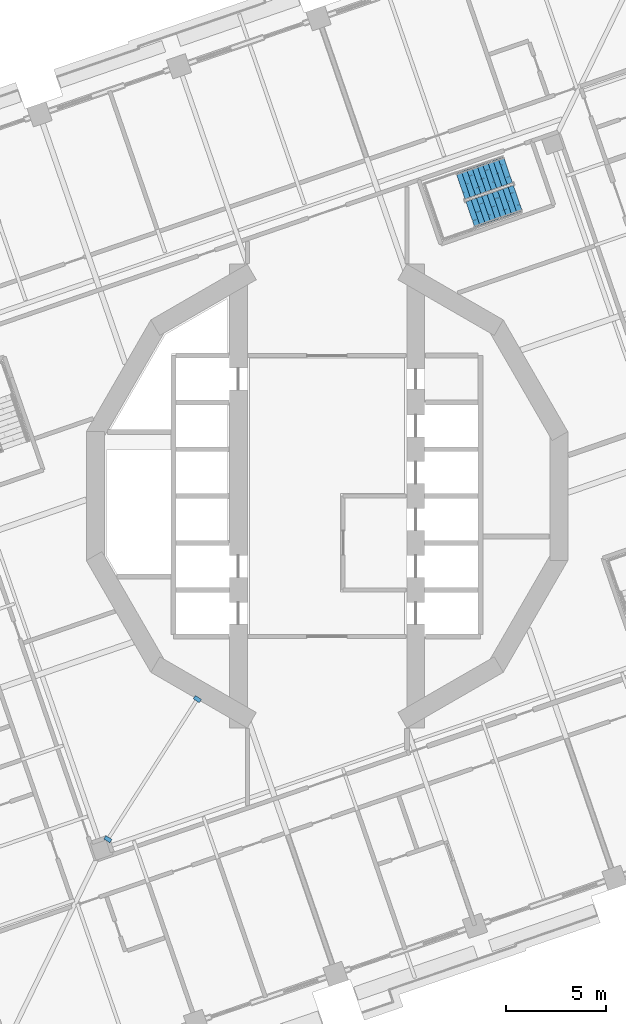
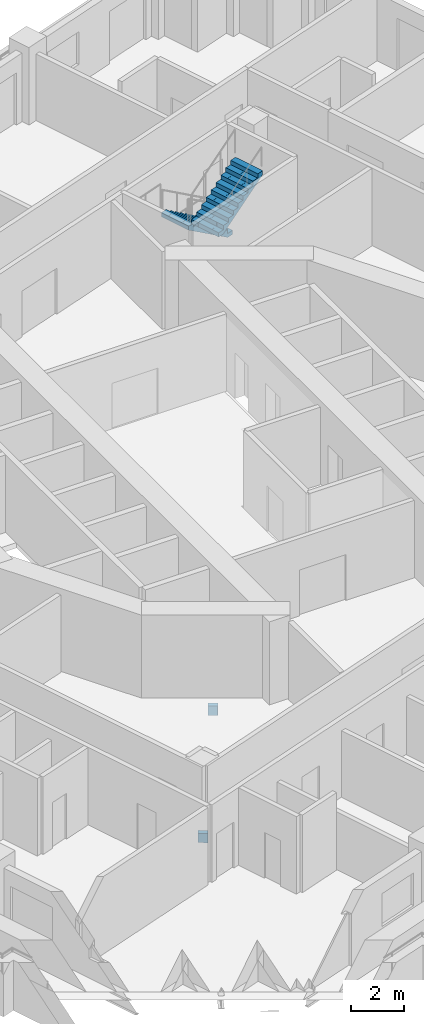
# One storey, part 11 of 19: 2 discrete accessories, 2 stair flights, 1 element without a shape of its own.
"""IFC4 building model written with IfcOpenShell, lengths in metres."""

from ifc_helpers import new_model, si_unit, direction, frame, origin, place, context, subcontext, project, spatial, polyline, outline, extrude, material, layer, layer_set, type_object, element, aggregate, save


model = new_model("IFC4")

# Units and contexts
model_context = context("Model", 3, precision=1e-05, world=origin(), true_north=direction((0.0, 1.0)))
body_context = subcontext(model_context, "Body", "Model", "MODEL_VIEW")
ifc_project = project(units=[si_unit("LENGTHUNIT", "METRE"), si_unit("AREAUNIT", "SQUARE_METRE"), si_unit("VOLUMEUNIT", "CUBIC_METRE"), si_unit("PLANEANGLEUNIT", "RADIAN"), si_unit("MASSUNIT", "GRAM", prefix="KILO")], contexts=[model_context])

# Site, building, storey
site_placement = place(None, origin())
site = spatial("IfcSite", under=ifc_project, at=site_placement, CompositionType="ELEMENT")
building_placement = place(site_placement, origin())
building = spatial("IfcBuilding", under=site, at=building_placement, Name="Cantera Rosa Tower", CompositionType="ELEMENT")
storey_placement = place(building_placement, frame((0.0, 0.0, 123.10009765625)))
storey = spatial("IfcBuildingStorey", under=building, at=storey_placement, Name="L25", CompositionType="ELEMENT", Elevation=123.10009765625)

# Stair, stair flights
ifc_material_1 = material(Name="Concrete C35/45", Category="concrete")
stair_type = type_object("IfcStairType", Name="EXIT STAIR 1350 DOGLEG", PredefinedType="HALF_TURN_STAIR", material=ifc_material_1)
stair_placement = place(storey_placement, origin())
stair = element("IfcStair", 1, at=stair_placement, inside=storey, type_object=stair_type, Name="L25 ST-21", PredefinedType="HALF_TURN_STAIR")
ifc_material_2 = material(Name="Concrete C35/45", Category="concrete")
stair_flight_type = type_object("IfcStairFlightType", Name="STAIR FLIGHT 1350 R20x190", PredefinedType="STRAIGHT", material=ifc_material_2)
stair_flight_1_placement = place(storey_placement, frame((9.07958984375, 16.364990234375, 0.0), z_axis=(0.0, 0.0, 1.0), x_axis=(-0.945518575599, -0.325568154457, 0.0)))
stair_flight_1 = element("IfcStairFlight", 2, at=stair_flight_1_placement, type_object=stair_flight_type, Name="ST-21 flight 1", NumberOfRisers=10, NumberOfTreads=9, PredefinedType="STRAIGHT", RiserHeight=0.19, TreadLength=0.28, context=body_context, shape_type="SweptSolid", body=[
    extrude(outline(polyline([(0.0, 0.0), (0.0, 0.18994140625), (0.280029296875, 0.18994140625), (0.280029296875, 0.3798828125), (0.56005859375, 0.3798828125), (0.56005859375, 0.570068359375), (0.840087890625, 0.570068359375), (0.840087890625, 0.760009765625), (1.1201171875, 0.760009765625), (1.1201171875, 0.949951171875), (1.39990234375, 0.949951171875), (1.39990234375, 1.139892578125), (1.679931640625, 1.139892578125), (1.679931640625, 1.330078125), (1.9599609375, 1.330078125), (1.9599609375, 1.52001953125), (2.239990234375, 1.52001953125), (2.239990234375, 1.7099609375), (2.52001953125, 1.7099609375), (2.52001953125, 1.89990234375), (2.52001953125, 1.52880859375), (0.266845703125, 0.0), (0.0, 0.0)])), frame((0.0, 0.675048828125, 0.0), z_axis=(0.0, -1.0, 0.0), x_axis=(1.0, 0.0, 0.0)), (0.0, 0.0, 1.0), 0.3359375),
    extrude(outline(polyline([(0.0, 0.0), (0.0, 0.18994140625), (0.280029296875, 0.18994140625), (0.280029296875, 0.3798828125), (0.56005859375, 0.3798828125), (0.56005859375, 0.570068359375), (0.840087890625, 0.570068359375), (0.840087890625, 0.760009765625), (1.1201171875, 0.760009765625), (1.1201171875, 0.949951171875), (1.39990234375, 0.949951171875), (1.39990234375, 1.139892578125), (1.679931640625, 1.139892578125), (1.679931640625, 1.330078125), (1.9599609375, 1.330078125), (1.9599609375, 1.52001953125), (2.239990234375, 1.52001953125), (2.239990234375, 1.7099609375), (2.52001953125, 1.7099609375), (2.52001953125, 1.89990234375), (2.52001953125, 1.52880859375), (0.266845703125, 0.0), (0.0, 0.0)])), frame((0.0, 0.337158203125, 0.0), z_axis=(0.0, -1.0, 0.0), x_axis=(1.0, 0.0, 0.0)), (0.0, 0.0, 1.0), 0.3359375),
    extrude(outline(polyline([(0.0, 0.0), (0.0, 0.18994140625), (0.280029296875, 0.18994140625), (0.280029296875, 0.3798828125), (0.56005859375, 0.3798828125), (0.56005859375, 0.570068359375), (0.840087890625, 0.570068359375), (0.840087890625, 0.760009765625), (1.1201171875, 0.760009765625), (1.1201171875, 0.949951171875), (1.39990234375, 0.949951171875), (1.39990234375, 1.139892578125), (1.679931640625, 1.139892578125), (1.679931640625, 1.330078125), (1.9599609375, 1.330078125), (1.9599609375, 1.52001953125), (2.239990234375, 1.52001953125), (2.239990234375, 1.7099609375), (2.52001953125, 1.7099609375), (2.52001953125, 1.89990234375), (2.52001953125, 1.52880859375), (0.266845703125, 0.0), (0.0, 0.0)])), frame((0.0, -0.000732421875, 0.0), z_axis=(0.0, -1.0, 0.0), x_axis=(1.0, 0.0, 0.0)), (0.0, 0.0, 1.0), 0.3359375),
    extrude(outline(polyline([(0.0, 0.0), (0.0, 0.18994140625), (0.280029296875, 0.18994140625), (0.280029296875, 0.3798828125), (0.56005859375, 0.3798828125), (0.56005859375, 0.570068359375), (0.840087890625, 0.570068359375), (0.840087890625, 0.760009765625), (1.1201171875, 0.760009765625), (1.1201171875, 0.949951171875), (1.39990234375, 0.949951171875), (1.39990234375, 1.139892578125), (1.679931640625, 1.139892578125), (1.679931640625, 1.330078125), (1.9599609375, 1.330078125), (1.9599609375, 1.52001953125), (2.239990234375, 1.52001953125), (2.239990234375, 1.7099609375), (2.52001953125, 1.7099609375), (2.52001953125, 1.89990234375), (2.52001953125, 1.52880859375), (0.266845703125, 0.0), (0.0, 0.0)])), frame((0.0, -0.338623046875, 0.0), z_axis=(0.0, -1.0, 0.0), x_axis=(1.0, 0.0, 0.0)), (0.0, 0.0, 1.0), 0.3359375),
])
stair_flight_2_placement = place(storey_placement, frame((7.185302734375, 14.126220703125, 1.89990234375), z_axis=(0.0, 0.0, 1.0), x_axis=(0.945518575599, 0.325568154457, 0.0)))
stair_flight_2 = element("IfcStairFlight", 3, at=stair_flight_2_placement, type_object=stair_flight_type, Name="ST-21 flight 2", NumberOfRisers=10, NumberOfTreads=9, PredefinedType="STRAIGHT", RiserHeight=0.19, TreadLength=0.28, context=body_context, shape_type="SweptSolid", body=[
    extrude(outline(polyline([(0.0, 0.0), (0.0, 0.18994140625), (0.280029296875, 0.18994140625), (0.280029296875, 0.3798828125), (0.56005859375, 0.3798828125), (0.56005859375, 0.570068359375), (0.840087890625, 0.570068359375), (0.840087890625, 0.760009765625), (1.1201171875, 0.760009765625), (1.1201171875, 0.949951171875), (1.39990234375, 0.949951171875), (1.39990234375, 1.139892578125), (1.679931640625, 1.139892578125), (1.679931640625, 1.330078125), (1.9599609375, 1.330078125), (1.9599609375, 1.52001953125), (2.239990234375, 1.52001953125), (2.239990234375, 1.7099609375), (2.52001953125, 1.7099609375), (2.52001953125, 1.89990234375), (2.52001953125, 1.52880859375), (0.266845703125, 0.0), (0.0, 0.0)])), frame((0.0, 0.675048828125, 0.0), z_axis=(0.0, -1.0, 0.0), x_axis=(1.0, 0.0, 0.0)), (0.0, 0.0, 1.0), 0.3359375),
    extrude(outline(polyline([(0.0, 0.0), (0.0, 0.18994140625), (0.280029296875, 0.18994140625), (0.280029296875, 0.3798828125), (0.56005859375, 0.3798828125), (0.56005859375, 0.570068359375), (0.840087890625, 0.570068359375), (0.840087890625, 0.760009765625), (1.1201171875, 0.760009765625), (1.1201171875, 0.949951171875), (1.39990234375, 0.949951171875), (1.39990234375, 1.139892578125), (1.679931640625, 1.139892578125), (1.679931640625, 1.330078125), (1.9599609375, 1.330078125), (1.9599609375, 1.52001953125), (2.239990234375, 1.52001953125), (2.239990234375, 1.7099609375), (2.52001953125, 1.7099609375), (2.52001953125, 1.89990234375), (2.52001953125, 1.52880859375), (0.266845703125, 0.0), (0.0, 0.0)])), frame((0.0, 0.337158203125, 0.0), z_axis=(0.0, -1.0, 0.0), x_axis=(1.0, 0.0, 0.0)), (0.0, 0.0, 1.0), 0.3359375),
    extrude(outline(polyline([(0.0, 0.0), (0.0, 0.18994140625), (0.280029296875, 0.18994140625), (0.280029296875, 0.3798828125), (0.56005859375, 0.3798828125), (0.56005859375, 0.570068359375), (0.840087890625, 0.570068359375), (0.840087890625, 0.760009765625), (1.1201171875, 0.760009765625), (1.1201171875, 0.949951171875), (1.39990234375, 0.949951171875), (1.39990234375, 1.139892578125), (1.679931640625, 1.139892578125), (1.679931640625, 1.330078125), (1.9599609375, 1.330078125), (1.9599609375, 1.52001953125), (2.239990234375, 1.52001953125), (2.239990234375, 1.7099609375), (2.52001953125, 1.7099609375), (2.52001953125, 1.89990234375), (2.52001953125, 1.52880859375), (0.266845703125, 0.0), (0.0, 0.0)])), frame((0.0, -0.000732421875, 0.0), z_axis=(0.0, -1.0, 0.0), x_axis=(1.0, 0.0, 0.0)), (0.0, 0.0, 1.0), 0.3359375),
    extrude(outline(polyline([(0.0, 0.0), (0.0, 0.18994140625), (0.280029296875, 0.18994140625), (0.280029296875, 0.3798828125), (0.56005859375, 0.3798828125), (0.56005859375, 0.570068359375), (0.840087890625, 0.570068359375), (0.840087890625, 0.760009765625), (1.1201171875, 0.760009765625), (1.1201171875, 0.949951171875), (1.39990234375, 0.949951171875), (1.39990234375, 1.139892578125), (1.679931640625, 1.139892578125), (1.679931640625, 1.330078125), (1.9599609375, 1.330078125), (1.9599609375, 1.52001953125), (2.239990234375, 1.52001953125), (2.239990234375, 1.7099609375), (2.52001953125, 1.7099609375), (2.52001953125, 1.89990234375), (2.52001953125, 1.52880859375), (0.266845703125, 0.0), (0.0, 0.0)])), frame((0.0, -0.338623046875, 0.0), z_axis=(0.0, -1.0, 0.0), x_axis=(1.0, 0.0, 0.0)), (0.0, 0.0, 1.0), 0.3359375),
])
aggregate(stair, [stair_flight_1, stair_flight_2])

# Discrete accessories
ifc_material_3 = material(Name="Steel ASTM A992 (Fy 345 MPa)", Category="steel")
ifc_layer = layer(ifc_material_3, 0.0400390625)
ifc_layer_set = layer_set([ifc_layer], Name="STEEL BEARING PLATE 40")
discrete_accessory_type = type_object("IfcDiscreteAccessoryType", Name="STEEL BEARING PLATE 40", PredefinedType="ANCHORPLATE", material=ifc_layer_set)
discrete_accessory_1_placement = place(storey_placement, frame((0.0, 0.0, -0.72802734375)))
element("IfcDiscreteAccessory", 4, at=discrete_accessory_1_placement, inside=storey, type_object=discrete_accessory_type, Name="BEARING PLATE PG-Z2-01 end 1 L25", PredefinedType="ANCHORPLATE", context=body_context, shape_type="SweptSolid", body=[
    extrude(outline(polyline([(-11.09619140625, -17.02783203125), (-11.203857421875, -17.1962890625), (-10.8955078125, -17.393310546875), (-10.787841796875, -17.224853515625), (-11.09619140625, -17.02783203125)])), origin(), (0.0, 0.0, 1.0), 0.427978515625),
])
discrete_accessory_2_placement = place(storey_placement, frame((0.0, 0.0, -0.72802734375)))
element("IfcDiscreteAccessory", 5, at=discrete_accessory_2_placement, inside=storey, type_object=discrete_accessory_type, Name="BEARING PLATE PG-Z2-01 end 2 L25", PredefinedType="ANCHORPLATE", context=body_context, shape_type="SweptSolid", body=[
    extrude(outline(polyline([(-6.40673828125, -10.367919921875), (-6.29931640625, -10.19921875), (-6.607666015625, -10.002197265625), (-6.71533203125, -10.170654296875), (-6.40673828125, -10.367919921875)])), origin(), (0.0, 0.0, 1.0), 0.427978515625),
])

save(model, "model.ifc")
